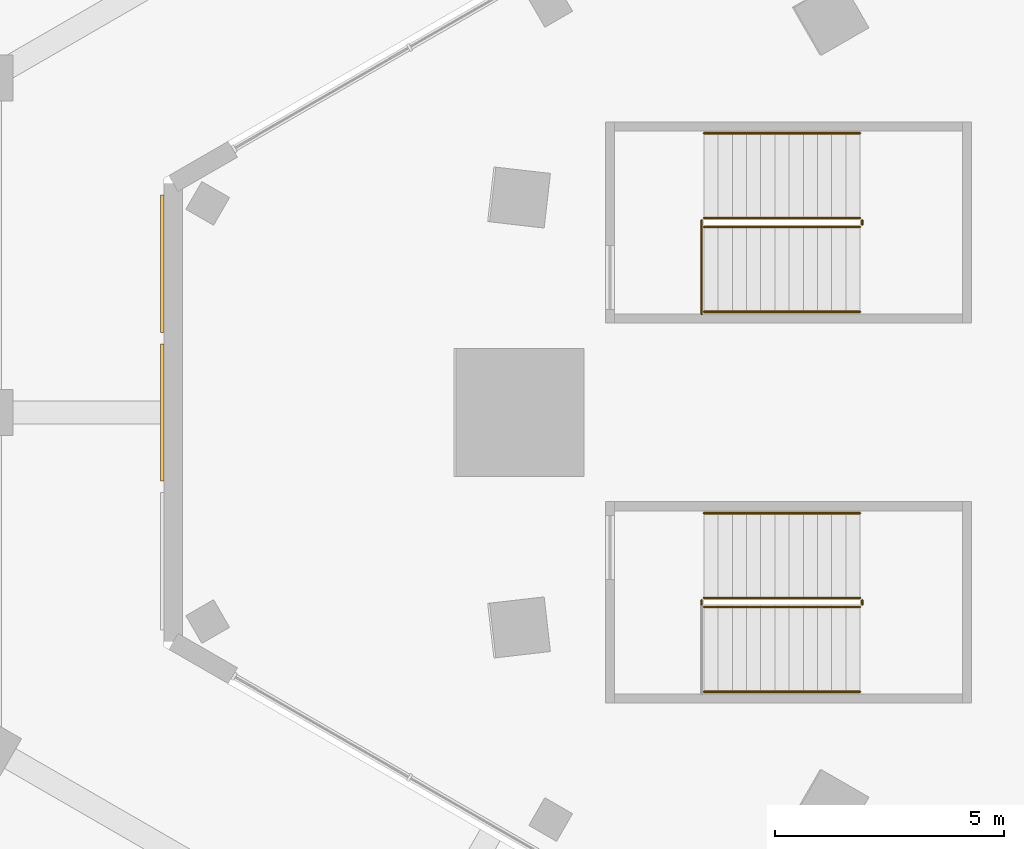
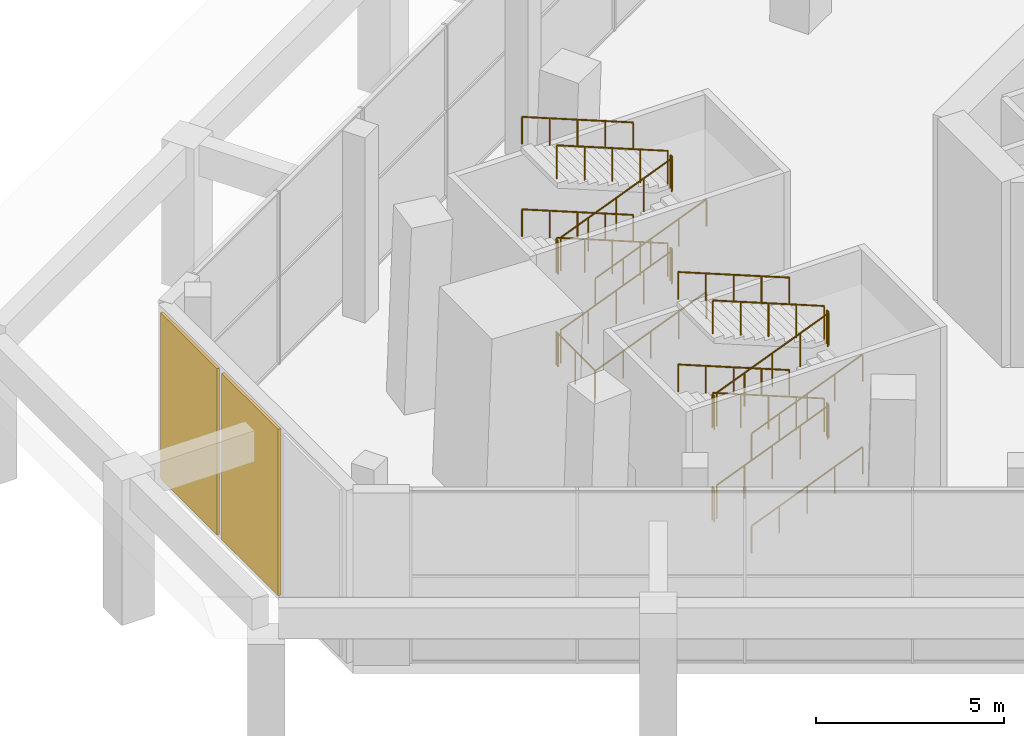
# One storey, part 40 of 51: 25 railings, 2 coverings.
"""IFC4 building model written with IfcOpenShell, lengths in metres."""

from ifc_helpers import new_model, si_unit, direction, frame, origin, origin_2d, place, context, subcontext, project, spatial, rectangle, circle, extrude, material, layer, layer_set, type_object, element, save


model = new_model("IFC4")

# Units and contexts
model_context = context("Model", 3, precision=1e-05, world=origin(), true_north=direction((0.0, 1.0)))
body_context = subcontext(model_context, "Body", "Model", "MODEL_VIEW")
ifc_project = project(units=[si_unit("LENGTHUNIT", "METRE"), si_unit("AREAUNIT", "SQUARE_METRE"), si_unit("VOLUMEUNIT", "CUBIC_METRE"), si_unit("PLANEANGLEUNIT", "RADIAN"), si_unit("MASSUNIT", "GRAM", prefix="KILO")], contexts=[model_context])

# Site, building, storey
site_placement = place(None, origin())
site = spatial("IfcSite", under=ifc_project, at=site_placement, CompositionType="ELEMENT")
building_placement = place(site_placement, origin())
building = spatial("IfcBuilding", under=site, at=building_placement, Name="Jabali Bay Hotel Tower and Convention Centre", CompositionType="ELEMENT")
storey_placement = place(building_placement, frame((0.0, 0.0, 9.0)))
storey = spatial("IfcBuildingStorey", under=building, at=storey_placement, Name="L01", CompositionType="ELEMENT", Elevation=9.0)

# Coverings
ifc_material_1 = material(Name="Precast concrete C40/50", Category="concrete")
ifc_layer = layer(ifc_material_1, 0.080078125)
ifc_layer_set = layer_set([ifc_layer], Name="Precast concrete C40/50")
covering_type = type_object("IfcCoveringType", Name="Relief panel 3000 x 5400", PredefinedType="CLADDING", material=ifc_layer_set)
for number, where, z_axis, x_axis, name in (
    (1, (26.420166015625, 80.0, 0.10009765625), (0.0, 0.0, 1.0), (0.0, 1.0, 0.0), "Relief panel L01"),
    (2, (26.420166015625, 83.25, 0.10009765625), (0.0, 0.0, 1.0), (0.0, 1.0, 0.0), "Relief panel L01"),
):
    element("IfcCovering", number, at=place(storey_placement, frame(where, z_axis=z_axis, x_axis=x_axis)), inside=storey, type_object=covering_type, Name=name, PredefinedType="CLADDING", context=body_context, shape_type="SweptSolid", body=[
        extrude(rectangle(XDim=3.0, YDim=0.080078125, at=origin_2d()), origin(), (0.0, 0.0, 1.0), 5.39990234375),
    ])

# Railings
ifc_material_2 = material(Name="Steel Q355B", Category="steel")
railing_type_1 = type_object("IfcRailingType", Name="Stair guard 1100", PredefinedType="GUARDRAIL", material=ifc_material_2)
railing_1_placement = place(storey_placement, frame((38.25, 75.75, 0.125)))
element("IfcRailing", 3, at=railing_1_placement, inside=storey, type_object=railing_type_1, Name="L01 PS1 stair guard 1", PredefinedType="GUARDRAIL", context=body_context, shape_type="SweptSolid", body=[
    extrude(circle(Radius=0.02392578125, at=origin_2d()), frame((0.0, 0.0, 1.076171875), z_axis=(0.92743812886, 0.0, 0.373976626458), x_axis=(0.0, 1.0, 0.0)), (0.0, 0.0, 1.0), 3.6767578125),
    extrude(circle(Radius=0.02099609375, at=origin_2d()), origin(), (0.0, 0.0, 1.0), 1.052001953125),
    extrude(circle(Radius=0.02099609375, at=origin_2d()), frame((0.8525390625, 0.0, 0.34375)), (0.0, 0.0, 1.0), 1.052001953125),
    extrude(circle(Radius=0.02099609375, at=origin_2d()), frame((1.705078125, 0.0, 0.6875)), (0.0, 0.0, 1.0), 1.052001953125),
    extrude(circle(Radius=0.02099609375, at=origin_2d()), frame((2.557373046875, 0.0, 1.03125)), (0.0, 0.0, 1.0), 1.052001953125),
    extrude(circle(Radius=0.02099609375, at=origin_2d()), frame((3.409912109375, 0.0, 1.375)), (0.0, 0.0, 1.0), 1.052001953125),
])
railing_2_placement = place(storey_placement, frame((41.7099609375, 75.800048828125, 1.5)))
element("IfcRailing", 4, at=railing_2_placement, inside=storey, type_object=railing_type_1, Name="L01 PS1 stair guard 2", PredefinedType="GUARDRAIL", context=body_context, shape_type="SweptSolid", body=[
    extrude(circle(Radius=0.02392578125, at=origin_2d()), frame((0.0, 0.0, 1.076171875), z_axis=(0.0, 1.0, 0.0), x_axis=(-1.0, 0.0, 0.0)), (0.0, 0.0, 1.0), 0.099853515625),
    extrude(circle(Radius=0.02099609375, at=origin_2d()), origin(), (0.0, 0.0, 1.0), 1.052001953125),
    extrude(circle(Radius=0.02099609375, at=origin_2d()), frame((0.0, 0.099853515625, 0.0)), (0.0, 0.0, 1.0), 1.052001953125),
])
railing_3_placement = place(storey_placement, frame((41.659912109375, 75.949951171875, 1.625)))
element("IfcRailing", 5, at=railing_3_placement, inside=storey, type_object=railing_type_1, Name="L01 PS1 stair guard 3", PredefinedType="GUARDRAIL", context=body_context, shape_type="SweptSolid", body=[
    extrude(circle(Radius=0.02392578125, at=origin_2d()), frame((0.0, 0.0, 1.076171875), z_axis=(-0.92743812886, 0.0, 0.373976626458), x_axis=(0.0, -1.0, 0.0)), (0.0, 0.0, 1.0), 3.6767578125),
    extrude(circle(Radius=0.02099609375, at=origin_2d()), origin(), (0.0, 0.0, 1.0), 1.052001953125),
    extrude(circle(Radius=0.02099609375, at=origin_2d()), frame((-0.8525390625, 0.0, 0.34375)), (0.0, 0.0, 1.0), 1.052001953125),
    extrude(circle(Radius=0.02099609375, at=origin_2d()), frame((-1.705078125, 0.0, 0.6875)), (0.0, 0.0, 1.0), 1.052001953125),
    extrude(circle(Radius=0.02099609375, at=origin_2d()), frame((-2.557373046875, 0.0, 1.03125)), (0.0, 0.0, 1.0), 1.052001953125),
    extrude(circle(Radius=0.02099609375, at=origin_2d()), frame((-3.409912109375, 0.0, 1.375)), (0.0, 0.0, 1.0), 1.052001953125),
])
railing_4_placement = place(storey_placement, frame((38.199951171875, 75.800048828125, 3.0)))
element("IfcRailing", 6, at=railing_4_placement, inside=storey, type_object=railing_type_1, Name="L01 PS1 stair guard 4", PredefinedType="GUARDRAIL", context=body_context, shape_type="SweptSolid", body=[
    extrude(circle(Radius=0.02392578125, at=origin_2d()), frame((0.0, 0.0, 1.076171875), z_axis=(0.0, 1.0, 0.0), x_axis=(-1.0, 0.0, 0.0)), (0.0, 0.0, 1.0), 0.099853515625),
    extrude(circle(Radius=0.02099609375, at=origin_2d()), origin(), (0.0, 0.0, 1.0), 1.052001953125),
    extrude(circle(Radius=0.02099609375, at=origin_2d()), frame((0.0, 0.099853515625, 0.0)), (0.0, 0.0, 1.0), 1.052001953125),
])
railing_5_placement = place(storey_placement, frame((38.25, 75.75, 3.125)))
element("IfcRailing", 7, at=railing_5_placement, inside=storey, type_object=railing_type_1, Name="L01 PS1 stair guard 5", PredefinedType="GUARDRAIL", context=body_context, shape_type="SweptSolid", body=[
    extrude(circle(Radius=0.02392578125, at=origin_2d()), frame((0.0, 0.0, 1.076171875), z_axis=(0.92743812886, 0.0, 0.373976626458), x_axis=(0.0, 1.0, 0.0)), (0.0, 0.0, 1.0), 3.6767578125),
    extrude(circle(Radius=0.02099609375, at=origin_2d()), origin(), (0.0, 0.0, 1.0), 1.052001953125),
    extrude(circle(Radius=0.02099609375, at=origin_2d()), frame((0.8525390625, 0.0, 0.34375)), (0.0, 0.0, 1.0), 1.052001953125),
    extrude(circle(Radius=0.02099609375, at=origin_2d()), frame((1.705078125, 0.0, 0.6875)), (0.0, 0.0, 1.0), 1.052001953125),
    extrude(circle(Radius=0.02099609375, at=origin_2d()), frame((2.557373046875, 0.0, 1.03125)), (0.0, 0.0, 1.0), 1.052001953125),
    extrude(circle(Radius=0.02099609375, at=origin_2d()), frame((3.409912109375, 0.0, 1.375)), (0.0, 0.0, 1.0), 1.052001953125),
])
railing_6_placement = place(storey_placement, frame((41.7099609375, 75.800048828125, 4.5)))
element("IfcRailing", 8, at=railing_6_placement, inside=storey, type_object=railing_type_1, Name="L01 PS1 stair guard 6", PredefinedType="GUARDRAIL", context=body_context, shape_type="SweptSolid", body=[
    extrude(circle(Radius=0.02392578125, at=origin_2d()), frame((0.0, 0.0, 1.076171875), z_axis=(0.0, 1.0, 0.0), x_axis=(-1.0, 0.0, 0.0)), (0.0, 0.0, 1.0), 0.099853515625),
    extrude(circle(Radius=0.02099609375, at=origin_2d()), origin(), (0.0, 0.0, 1.0), 1.052001953125),
    extrude(circle(Radius=0.02099609375, at=origin_2d()), frame((0.0, 0.099853515625, 0.0)), (0.0, 0.0, 1.0), 1.052001953125),
])
railing_7_placement = place(storey_placement, frame((41.659912109375, 75.949951171875, 4.625)))
element("IfcRailing", 9, at=railing_7_placement, inside=storey, type_object=railing_type_1, Name="L01 PS1 stair guard 7", PredefinedType="GUARDRAIL", context=body_context, shape_type="SweptSolid", body=[
    extrude(circle(Radius=0.02392578125, at=origin_2d()), frame((0.0, 0.0, 1.076171875), z_axis=(-0.92743812886, 0.0, 0.373976626458), x_axis=(0.0, -1.0, 0.0)), (0.0, 0.0, 1.0), 3.6767578125),
    extrude(circle(Radius=0.02099609375, at=origin_2d()), origin(), (0.0, 0.0, 1.0), 1.052001953125),
    extrude(circle(Radius=0.02099609375, at=origin_2d()), frame((-0.8525390625, 0.0, 0.34375)), (0.0, 0.0, 1.0), 1.052001953125),
    extrude(circle(Radius=0.02099609375, at=origin_2d()), frame((-1.705078125, 0.0, 0.6875)), (0.0, 0.0, 1.0), 1.052001953125),
    extrude(circle(Radius=0.02099609375, at=origin_2d()), frame((-2.557373046875, 0.0, 1.03125)), (0.0, 0.0, 1.0), 1.052001953125),
    extrude(circle(Radius=0.02099609375, at=origin_2d()), frame((-3.409912109375, 0.0, 1.375)), (0.0, 0.0, 1.0), 1.052001953125),
])
railing_8_placement = place(storey_placement, frame((38.199951171875, 75.800048828125, 0.0)))
element("IfcRailing", 10, at=railing_8_placement, inside=storey, type_object=railing_type_1, Name="L01 PS1 stair guard 8", PredefinedType="GUARDRAIL", context=body_context, shape_type="SweptSolid", body=[
    extrude(circle(Radius=0.02392578125, at=origin_2d()), frame((0.0, 0.0, 1.076171875), z_axis=(0.0, 1.0, 0.0), x_axis=(-1.0, 0.0, 0.0)), (0.0, 0.0, 1.0), 0.099853515625),
    extrude(circle(Radius=0.02099609375, at=origin_2d()), origin(), (0.0, 0.0, 1.0), 1.052001953125),
    extrude(circle(Radius=0.02099609375, at=origin_2d()), frame((0.0, 0.099853515625, 0.0)), (0.0, 0.0, 1.0), 1.052001953125),
])
railing_9_placement = place(storey_placement, frame((38.199951171875, 82.14990234375, 0.0)))
element("IfcRailing", 11, at=railing_9_placement, inside=storey, type_object=railing_type_1, Name="L01 PS2 top well guard 1", PredefinedType="GUARDRAIL", context=body_context, shape_type="SweptSolid", body=[
    extrude(circle(Radius=0.02392578125, at=origin_2d()), frame((0.0, 0.0, 1.076171875), z_axis=(0.0, 1.0, 0.0), x_axis=(-1.0, 0.0, 0.0)), (0.0, 0.0, 1.0), 2.050048828125),
    extrude(circle(Radius=0.02099609375, at=origin_2d()), origin(), (0.0, 0.0, 1.0), 1.052001953125),
    extrude(circle(Radius=0.02099609375, at=origin_2d()), frame((0.0, 1.02490234375, 0.0)), (0.0, 0.0, 1.0), 1.052001953125),
    extrude(circle(Radius=0.02099609375, at=origin_2d()), frame((0.0, 2.050048828125, 0.0)), (0.0, 0.0, 1.0), 1.052001953125),
])
railing_10_placement = place(storey_placement, frame((38.25, 84.050048828125, 0.125)))
element("IfcRailing", 12, at=railing_10_placement, inside=storey, type_object=railing_type_1, Name="L01 PS2 stair guard 1", PredefinedType="GUARDRAIL", context=body_context, shape_type="SweptSolid", body=[
    extrude(circle(Radius=0.02392578125, at=origin_2d()), frame((0.0, 0.0, 1.076171875), z_axis=(0.92743812886, 0.0, 0.373976626458), x_axis=(0.0, 1.0, 0.0)), (0.0, 0.0, 1.0), 3.6767578125),
    extrude(circle(Radius=0.02099609375, at=origin_2d()), origin(), (0.0, 0.0, 1.0), 1.052001953125),
    extrude(circle(Radius=0.02099609375, at=origin_2d()), frame((0.8525390625, 0.0, 0.34375)), (0.0, 0.0, 1.0), 1.052001953125),
    extrude(circle(Radius=0.02099609375, at=origin_2d()), frame((1.705078125, 0.0, 0.6875)), (0.0, 0.0, 1.0), 1.052001953125),
    extrude(circle(Radius=0.02099609375, at=origin_2d()), frame((2.557373046875, 0.0, 1.03125)), (0.0, 0.0, 1.0), 1.052001953125),
    extrude(circle(Radius=0.02099609375, at=origin_2d()), frame((3.409912109375, 0.0, 1.375)), (0.0, 0.0, 1.0), 1.052001953125),
])
railing_11_placement = place(storey_placement, frame((41.7099609375, 84.10009765625, 1.5)))
element("IfcRailing", 13, at=railing_11_placement, inside=storey, type_object=railing_type_1, Name="L01 PS2 stair guard 2", PredefinedType="GUARDRAIL", context=body_context, shape_type="SweptSolid", body=[
    extrude(circle(Radius=0.02392578125, at=origin_2d()), frame((0.0, 0.0, 1.076171875), z_axis=(0.0, 1.0, 0.0), x_axis=(-1.0, 0.0, 0.0)), (0.0, 0.0, 1.0), 0.099853515625),
    extrude(circle(Radius=0.02099609375, at=origin_2d()), origin(), (0.0, 0.0, 1.0), 1.052001953125),
    extrude(circle(Radius=0.02099609375, at=origin_2d()), frame((0.0, 0.099853515625, 0.0)), (0.0, 0.0, 1.0), 1.052001953125),
])
railing_12_placement = place(storey_placement, frame((41.659912109375, 84.25, 1.625)))
element("IfcRailing", 14, at=railing_12_placement, inside=storey, type_object=railing_type_1, Name="L01 PS2 stair guard 3", PredefinedType="GUARDRAIL", context=body_context, shape_type="SweptSolid", body=[
    extrude(circle(Radius=0.02392578125, at=origin_2d()), frame((0.0, 0.0, 1.076171875), z_axis=(-0.92743812886, 0.0, 0.373976626458), x_axis=(0.0, -1.0, 0.0)), (0.0, 0.0, 1.0), 3.6767578125),
    extrude(circle(Radius=0.02099609375, at=origin_2d()), origin(), (0.0, 0.0, 1.0), 1.052001953125),
    extrude(circle(Radius=0.02099609375, at=origin_2d()), frame((-0.8525390625, 0.0, 0.34375)), (0.0, 0.0, 1.0), 1.052001953125),
    extrude(circle(Radius=0.02099609375, at=origin_2d()), frame((-1.705078125, 0.0, 0.6875)), (0.0, 0.0, 1.0), 1.052001953125),
    extrude(circle(Radius=0.02099609375, at=origin_2d()), frame((-2.557373046875, 0.0, 1.03125)), (0.0, 0.0, 1.0), 1.052001953125),
    extrude(circle(Radius=0.02099609375, at=origin_2d()), frame((-3.409912109375, 0.0, 1.375)), (0.0, 0.0, 1.0), 1.052001953125),
])
railing_13_placement = place(storey_placement, frame((38.199951171875, 84.10009765625, 3.0)))
element("IfcRailing", 15, at=railing_13_placement, inside=storey, type_object=railing_type_1, Name="L01 PS2 stair guard 4", PredefinedType="GUARDRAIL", context=body_context, shape_type="SweptSolid", body=[
    extrude(circle(Radius=0.02392578125, at=origin_2d()), frame((0.0, 0.0, 1.076171875), z_axis=(0.0, 1.0, 0.0), x_axis=(-1.0, 0.0, 0.0)), (0.0, 0.0, 1.0), 0.099853515625),
    extrude(circle(Radius=0.02099609375, at=origin_2d()), origin(), (0.0, 0.0, 1.0), 1.052001953125),
    extrude(circle(Radius=0.02099609375, at=origin_2d()), frame((0.0, 0.099853515625, 0.0)), (0.0, 0.0, 1.0), 1.052001953125),
])
railing_14_placement = place(storey_placement, frame((38.25, 84.050048828125, 3.125)))
element("IfcRailing", 16, at=railing_14_placement, inside=storey, type_object=railing_type_1, Name="L01 PS2 stair guard 5", PredefinedType="GUARDRAIL", context=body_context, shape_type="SweptSolid", body=[
    extrude(circle(Radius=0.02392578125, at=origin_2d()), frame((0.0, 0.0, 1.076171875), z_axis=(0.92743812886, 0.0, 0.373976626458), x_axis=(0.0, 1.0, 0.0)), (0.0, 0.0, 1.0), 3.6767578125),
    extrude(circle(Radius=0.02099609375, at=origin_2d()), origin(), (0.0, 0.0, 1.0), 1.052001953125),
    extrude(circle(Radius=0.02099609375, at=origin_2d()), frame((0.8525390625, 0.0, 0.34375)), (0.0, 0.0, 1.0), 1.052001953125),
    extrude(circle(Radius=0.02099609375, at=origin_2d()), frame((1.705078125, 0.0, 0.6875)), (0.0, 0.0, 1.0), 1.052001953125),
    extrude(circle(Radius=0.02099609375, at=origin_2d()), frame((2.557373046875, 0.0, 1.03125)), (0.0, 0.0, 1.0), 1.052001953125),
    extrude(circle(Radius=0.02099609375, at=origin_2d()), frame((3.409912109375, 0.0, 1.375)), (0.0, 0.0, 1.0), 1.052001953125),
])
railing_15_placement = place(storey_placement, frame((41.7099609375, 84.10009765625, 4.5)))
element("IfcRailing", 17, at=railing_15_placement, inside=storey, type_object=railing_type_1, Name="L01 PS2 stair guard 6", PredefinedType="GUARDRAIL", context=body_context, shape_type="SweptSolid", body=[
    extrude(circle(Radius=0.02392578125, at=origin_2d()), frame((0.0, 0.0, 1.076171875), z_axis=(0.0, 1.0, 0.0), x_axis=(-1.0, 0.0, 0.0)), (0.0, 0.0, 1.0), 0.099853515625),
    extrude(circle(Radius=0.02099609375, at=origin_2d()), origin(), (0.0, 0.0, 1.0), 1.052001953125),
    extrude(circle(Radius=0.02099609375, at=origin_2d()), frame((0.0, 0.099853515625, 0.0)), (0.0, 0.0, 1.0), 1.052001953125),
])
railing_16_placement = place(storey_placement, frame((41.659912109375, 84.25, 4.625)))
element("IfcRailing", 18, at=railing_16_placement, inside=storey, type_object=railing_type_1, Name="L01 PS2 stair guard 7", PredefinedType="GUARDRAIL", context=body_context, shape_type="SweptSolid", body=[
    extrude(circle(Radius=0.02392578125, at=origin_2d()), frame((0.0, 0.0, 1.076171875), z_axis=(-0.92743812886, 0.0, 0.373976626458), x_axis=(0.0, -1.0, 0.0)), (0.0, 0.0, 1.0), 3.6767578125),
    extrude(circle(Radius=0.02099609375, at=origin_2d()), origin(), (0.0, 0.0, 1.0), 1.052001953125),
    extrude(circle(Radius=0.02099609375, at=origin_2d()), frame((-0.8525390625, 0.0, 0.34375)), (0.0, 0.0, 1.0), 1.052001953125),
    extrude(circle(Radius=0.02099609375, at=origin_2d()), frame((-1.705078125, 0.0, 0.6875)), (0.0, 0.0, 1.0), 1.052001953125),
    extrude(circle(Radius=0.02099609375, at=origin_2d()), frame((-2.557373046875, 0.0, 1.03125)), (0.0, 0.0, 1.0), 1.052001953125),
    extrude(circle(Radius=0.02099609375, at=origin_2d()), frame((-3.409912109375, 0.0, 1.375)), (0.0, 0.0, 1.0), 1.052001953125),
])
railing_17_placement = place(storey_placement, frame((38.199951171875, 84.10009765625, 0.0)))
element("IfcRailing", 19, at=railing_17_placement, inside=storey, type_object=railing_type_1, Name="L01 PS2 stair guard 8", PredefinedType="GUARDRAIL", context=body_context, shape_type="SweptSolid", body=[
    extrude(circle(Radius=0.02392578125, at=origin_2d()), frame((0.0, 0.0, 1.076171875), z_axis=(0.0, 1.0, 0.0), x_axis=(-1.0, 0.0, 0.0)), (0.0, 0.0, 1.0), 0.099853515625),
    extrude(circle(Radius=0.02099609375, at=origin_2d()), origin(), (0.0, 0.0, 1.0), 1.052001953125),
    extrude(circle(Radius=0.02099609375, at=origin_2d()), frame((0.0, 0.099853515625, 0.0)), (0.0, 0.0, 1.0), 1.052001953125),
])
railing_type_2 = type_object("IfcRailingType", Name="Stair handrail 900", PredefinedType="HANDRAIL", material=ifc_material_2)
railing_18_placement = place(storey_placement, frame((38.25, 73.89990234375, 0.125)))
element("IfcRailing", 20, at=railing_18_placement, inside=storey, type_object=railing_type_2, Name="L01 PS1 stair handrail 1", PredefinedType="HANDRAIL", context=body_context, shape_type="SweptSolid", body=[
    extrude(circle(Radius=0.02392578125, at=origin_2d()), frame((0.0, 0.0, 0.8759765625), z_axis=(0.92743812886, 0.0, 0.373976626458), x_axis=(0.0, 1.0, 0.0)), (0.0, 0.0, 1.0), 3.6767578125),
    extrude(circle(Radius=0.02099609375, at=origin_2d()), origin(), (0.0, 0.0, 1.0), 0.851806640625),
    extrude(circle(Radius=0.02099609375, at=origin_2d()), frame((0.8525390625, 0.0, 0.34375)), (0.0, 0.0, 1.0), 0.851806640625),
    extrude(circle(Radius=0.02099609375, at=origin_2d()), frame((1.705078125, 0.0, 0.6875)), (0.0, 0.0, 1.0), 0.851806640625),
    extrude(circle(Radius=0.02099609375, at=origin_2d()), frame((2.557373046875, 0.0, 1.03125)), (0.0, 0.0, 1.0), 0.851806640625),
    extrude(circle(Radius=0.02099609375, at=origin_2d()), frame((3.409912109375, 0.0, 1.375)), (0.0, 0.0, 1.0), 0.851806640625),
])
railing_19_placement = place(storey_placement, frame((41.659912109375, 77.800048828125, 1.625)))
element("IfcRailing", 21, at=railing_19_placement, inside=storey, type_object=railing_type_2, Name="L01 PS1 stair handrail 2", PredefinedType="HANDRAIL", context=body_context, shape_type="SweptSolid", body=[
    extrude(circle(Radius=0.02392578125, at=origin_2d()), frame((0.0, 0.0, 0.8759765625), z_axis=(-0.92743812886, 0.0, 0.373976626458), x_axis=(0.0, -1.0, 0.0)), (0.0, 0.0, 1.0), 3.6767578125),
    extrude(circle(Radius=0.02099609375, at=origin_2d()), origin(), (0.0, 0.0, 1.0), 0.851806640625),
    extrude(circle(Radius=0.02099609375, at=origin_2d()), frame((-0.8525390625, 0.0, 0.34375)), (0.0, 0.0, 1.0), 0.851806640625),
    extrude(circle(Radius=0.02099609375, at=origin_2d()), frame((-1.705078125, 0.0, 0.6875)), (0.0, 0.0, 1.0), 0.851806640625),
    extrude(circle(Radius=0.02099609375, at=origin_2d()), frame((-2.557373046875, 0.0, 1.03125)), (0.0, 0.0, 1.0), 0.851806640625),
    extrude(circle(Radius=0.02099609375, at=origin_2d()), frame((-3.409912109375, 0.0, 1.375)), (0.0, 0.0, 1.0), 0.851806640625),
])
railing_20_placement = place(storey_placement, frame((38.25, 73.89990234375, 3.125)))
element("IfcRailing", 22, at=railing_20_placement, inside=storey, type_object=railing_type_2, Name="L01 PS1 stair handrail 3", PredefinedType="HANDRAIL", context=body_context, shape_type="SweptSolid", body=[
    extrude(circle(Radius=0.02392578125, at=origin_2d()), frame((0.0, 0.0, 0.8759765625), z_axis=(0.92743812886, 0.0, 0.373976626458), x_axis=(0.0, 1.0, 0.0)), (0.0, 0.0, 1.0), 3.6767578125),
    extrude(circle(Radius=0.02099609375, at=origin_2d()), origin(), (0.0, 0.0, 1.0), 0.851806640625),
    extrude(circle(Radius=0.02099609375, at=origin_2d()), frame((0.8525390625, 0.0, 0.34375)), (0.0, 0.0, 1.0), 0.851806640625),
    extrude(circle(Radius=0.02099609375, at=origin_2d()), frame((1.705078125, 0.0, 0.6875)), (0.0, 0.0, 1.0), 0.851806640625),
    extrude(circle(Radius=0.02099609375, at=origin_2d()), frame((2.557373046875, 0.0, 1.03125)), (0.0, 0.0, 1.0), 0.851806640625),
    extrude(circle(Radius=0.02099609375, at=origin_2d()), frame((3.409912109375, 0.0, 1.375)), (0.0, 0.0, 1.0), 0.851806640625),
])
railing_21_placement = place(storey_placement, frame((41.659912109375, 77.800048828125, 4.625)))
element("IfcRailing", 23, at=railing_21_placement, inside=storey, type_object=railing_type_2, Name="L01 PS1 stair handrail 4", PredefinedType="HANDRAIL", context=body_context, shape_type="SweptSolid", body=[
    extrude(circle(Radius=0.02392578125, at=origin_2d()), frame((0.0, 0.0, 0.8759765625), z_axis=(-0.92743812886, 0.0, 0.373976626458), x_axis=(0.0, -1.0, 0.0)), (0.0, 0.0, 1.0), 3.6767578125),
    extrude(circle(Radius=0.02099609375, at=origin_2d()), origin(), (0.0, 0.0, 1.0), 0.851806640625),
    extrude(circle(Radius=0.02099609375, at=origin_2d()), frame((-0.8525390625, 0.0, 0.34375)), (0.0, 0.0, 1.0), 0.851806640625),
    extrude(circle(Radius=0.02099609375, at=origin_2d()), frame((-1.705078125, 0.0, 0.6875)), (0.0, 0.0, 1.0), 0.851806640625),
    extrude(circle(Radius=0.02099609375, at=origin_2d()), frame((-2.557373046875, 0.0, 1.03125)), (0.0, 0.0, 1.0), 0.851806640625),
    extrude(circle(Radius=0.02099609375, at=origin_2d()), frame((-3.409912109375, 0.0, 1.375)), (0.0, 0.0, 1.0), 0.851806640625),
])
railing_22_placement = place(storey_placement, frame((38.25, 82.199951171875, 0.125)))
element("IfcRailing", 24, at=railing_22_placement, inside=storey, type_object=railing_type_2, Name="L01 PS2 stair handrail 1", PredefinedType="HANDRAIL", context=body_context, shape_type="SweptSolid", body=[
    extrude(circle(Radius=0.02392578125, at=origin_2d()), frame((0.0, 0.0, 0.8759765625), z_axis=(0.92743812886, 0.0, 0.373976626458), x_axis=(0.0, 1.0, 0.0)), (0.0, 0.0, 1.0), 3.6767578125),
    extrude(circle(Radius=0.02099609375, at=origin_2d()), origin(), (0.0, 0.0, 1.0), 0.851806640625),
    extrude(circle(Radius=0.02099609375, at=origin_2d()), frame((0.8525390625, 0.0, 0.34375)), (0.0, 0.0, 1.0), 0.851806640625),
    extrude(circle(Radius=0.02099609375, at=origin_2d()), frame((1.705078125, 0.0, 0.6875)), (0.0, 0.0, 1.0), 0.851806640625),
    extrude(circle(Radius=0.02099609375, at=origin_2d()), frame((2.557373046875, 0.0, 1.03125)), (0.0, 0.0, 1.0), 0.851806640625),
    extrude(circle(Radius=0.02099609375, at=origin_2d()), frame((3.409912109375, 0.0, 1.375)), (0.0, 0.0, 1.0), 0.851806640625),
])
railing_23_placement = place(storey_placement, frame((41.659912109375, 86.10009765625, 1.625)))
element("IfcRailing", 25, at=railing_23_placement, inside=storey, type_object=railing_type_2, Name="L01 PS2 stair handrail 2", PredefinedType="HANDRAIL", context=body_context, shape_type="SweptSolid", body=[
    extrude(circle(Radius=0.02392578125, at=origin_2d()), frame((0.0, 0.0, 0.8759765625), z_axis=(-0.92743812886, 0.0, 0.373976626458), x_axis=(0.0, -1.0, 0.0)), (0.0, 0.0, 1.0), 3.6767578125),
    extrude(circle(Radius=0.02099609375, at=origin_2d()), origin(), (0.0, 0.0, 1.0), 0.851806640625),
    extrude(circle(Radius=0.02099609375, at=origin_2d()), frame((-0.8525390625, 0.0, 0.34375)), (0.0, 0.0, 1.0), 0.851806640625),
    extrude(circle(Radius=0.02099609375, at=origin_2d()), frame((-1.705078125, 0.0, 0.6875)), (0.0, 0.0, 1.0), 0.851806640625),
    extrude(circle(Radius=0.02099609375, at=origin_2d()), frame((-2.557373046875, 0.0, 1.03125)), (0.0, 0.0, 1.0), 0.851806640625),
    extrude(circle(Radius=0.02099609375, at=origin_2d()), frame((-3.409912109375, 0.0, 1.375)), (0.0, 0.0, 1.0), 0.851806640625),
])
railing_24_placement = place(storey_placement, frame((38.25, 82.199951171875, 3.125)))
element("IfcRailing", 26, at=railing_24_placement, inside=storey, type_object=railing_type_2, Name="L01 PS2 stair handrail 3", PredefinedType="HANDRAIL", context=body_context, shape_type="SweptSolid", body=[
    extrude(circle(Radius=0.02392578125, at=origin_2d()), frame((0.0, 0.0, 0.8759765625), z_axis=(0.92743812886, 0.0, 0.373976626458), x_axis=(0.0, 1.0, 0.0)), (0.0, 0.0, 1.0), 3.6767578125),
    extrude(circle(Radius=0.02099609375, at=origin_2d()), origin(), (0.0, 0.0, 1.0), 0.851806640625),
    extrude(circle(Radius=0.02099609375, at=origin_2d()), frame((0.8525390625, 0.0, 0.34375)), (0.0, 0.0, 1.0), 0.851806640625),
    extrude(circle(Radius=0.02099609375, at=origin_2d()), frame((1.705078125, 0.0, 0.6875)), (0.0, 0.0, 1.0), 0.851806640625),
    extrude(circle(Radius=0.02099609375, at=origin_2d()), frame((2.557373046875, 0.0, 1.03125)), (0.0, 0.0, 1.0), 0.851806640625),
    extrude(circle(Radius=0.02099609375, at=origin_2d()), frame((3.409912109375, 0.0, 1.375)), (0.0, 0.0, 1.0), 0.851806640625),
])
railing_25_placement = place(storey_placement, frame((41.659912109375, 86.10009765625, 4.625)))
element("IfcRailing", 27, at=railing_25_placement, inside=storey, type_object=railing_type_2, Name="L01 PS2 stair handrail 4", PredefinedType="HANDRAIL", context=body_context, shape_type="SweptSolid", body=[
    extrude(circle(Radius=0.02392578125, at=origin_2d()), frame((0.0, 0.0, 0.8759765625), z_axis=(-0.92743812886, 0.0, 0.373976626458), x_axis=(0.0, -1.0, 0.0)), (0.0, 0.0, 1.0), 3.6767578125),
    extrude(circle(Radius=0.02099609375, at=origin_2d()), origin(), (0.0, 0.0, 1.0), 0.851806640625),
    extrude(circle(Radius=0.02099609375, at=origin_2d()), frame((-0.8525390625, 0.0, 0.34375)), (0.0, 0.0, 1.0), 0.851806640625),
    extrude(circle(Radius=0.02099609375, at=origin_2d()), frame((-1.705078125, 0.0, 0.6875)), (0.0, 0.0, 1.0), 0.851806640625),
    extrude(circle(Radius=0.02099609375, at=origin_2d()), frame((-2.557373046875, 0.0, 1.03125)), (0.0, 0.0, 1.0), 0.851806640625),
    extrude(circle(Radius=0.02099609375, at=origin_2d()), frame((-3.409912109375, 0.0, 1.375)), (0.0, 0.0, 1.0), 0.851806640625),
])

save(model, "model.ifc")
